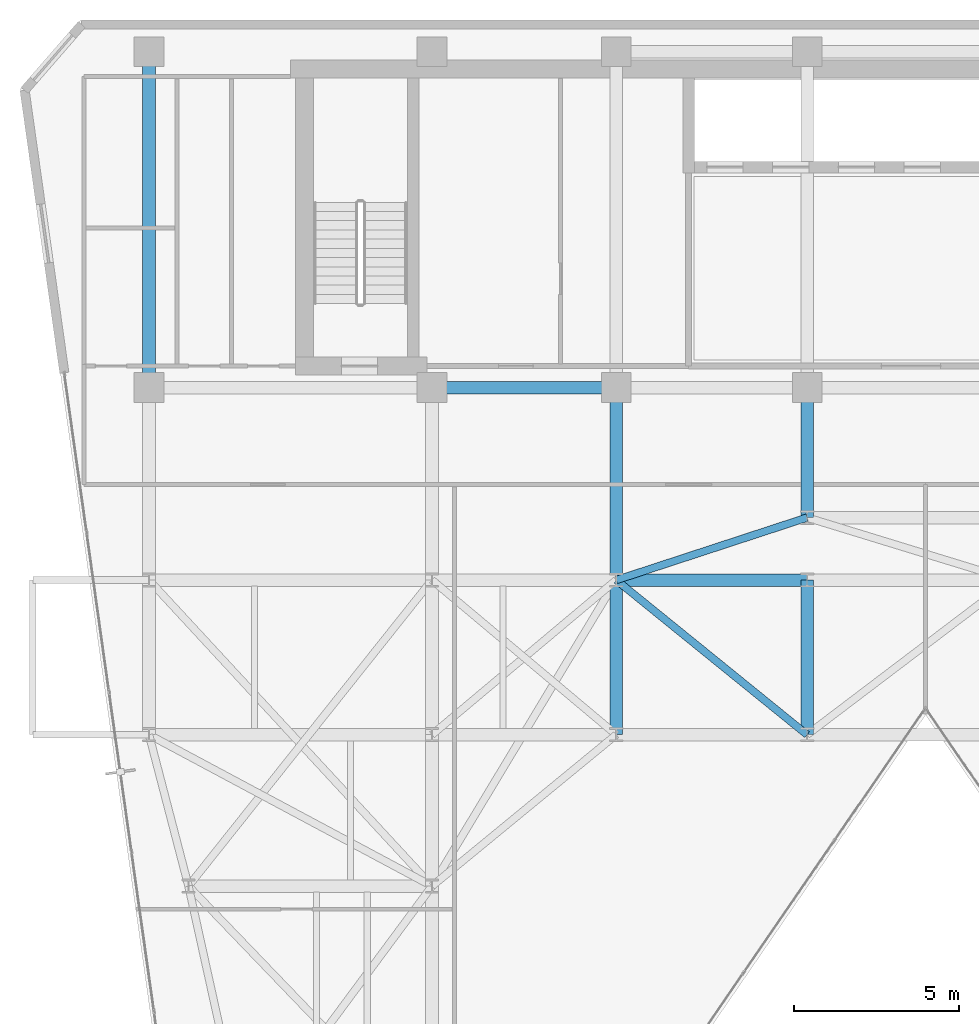
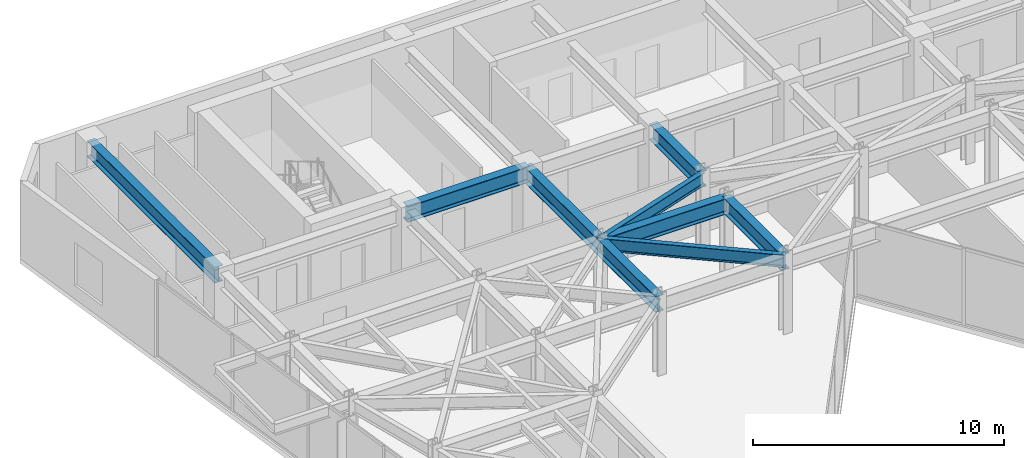
# One storey, part 13 of 26: 9 beams.
"""IFC4 building model written with IfcOpenShell, lengths in metres."""

from ifc_helpers import new_model, si_unit, direction, frame, origin, origin_2d, place, context, subcontext, project, spatial, i_section, extrude, material, material_profile, profile_set, type_object, element, save


model = new_model("IFC4")

# Units and contexts
model_context = context("Model", 3, precision=1e-05, world=origin(), true_north=direction((0.0, 1.0)))
body_context = subcontext(model_context, "Body", "Model", "MODEL_VIEW")
ifc_project = project(units=[si_unit("LENGTHUNIT", "METRE"), si_unit("AREAUNIT", "SQUARE_METRE"), si_unit("VOLUMEUNIT", "CUBIC_METRE"), si_unit("PLANEANGLEUNIT", "RADIAN"), si_unit("MASSUNIT", "GRAM", prefix="KILO")], contexts=[model_context])

# Site, building, storey
site_placement = place(None, origin())
site = spatial("IfcSite", under=ifc_project, at=site_placement, CompositionType="ELEMENT")
building_placement = place(site_placement, origin())
building = spatial("IfcBuilding", under=site, at=building_placement, Name="Kravanh Interchange Tower", CompositionType="ELEMENT")
storey_placement = place(building_placement, frame((0.0, 0.0, 172.5)))
storey = spatial("IfcBuildingStorey", under=building, at=storey_placement, Name="L41", CompositionType="ELEMENT", Elevation=172.5)

# Beams
ifc_material_1 = material(Name="Structural Steel S355", Category="steel")
ifc_material_profile_1 = material_profile(ifc_material_1, i_section(OverallWidth=0.381103515625, OverallDepth=0.77294921875, WebThickness=0.0166015625, FlangeThickness=0.027099609375, FilletRadius=0.02490234375, at=origin_2d()), Name="W30X173")
ifc_profile_set_1 = profile_set([ifc_material_profile_1], Name="Structural Steel S355")
beam_type_1 = type_object("IfcBeamType", Name="Floor Beam W30X173 Structural Steel S355", PredefinedType="BEAM", material=ifc_profile_set_1)
beam_1_placement = place(storey_placement, frame((38.60009765625, 37.35009765625, 3.368408203125), z_axis=(0.0, -1.0, 0.0), x_axis=(1.0, 0.0, 0.0)))
element("IfcBeam", 1, at=beam_1_placement, inside=storey, type_object=beam_type_1, Name="L41 Primary Floor Girder 16", PredefinedType="BEAM", context=body_context, shape_type="SweptSolid", body=[
    extrude(i_section(OverallWidth=0.381103515625, OverallDepth=0.77294921875, WebThickness=0.0166015625, FlangeThickness=0.027099609375, FilletRadius=0.02490234375, at=origin_2d()), origin(), (0.0, 0.0, 1.0), 3.9501953125),
])
beam_2_placement = place(storey_placement, frame((32.800048828125, 37.35009765625, 3.368408203125), z_axis=(-1.0, 0.0, 0.0), x_axis=(0.0, -1.0, 0.0)))
element("IfcBeam", 2, at=beam_2_placement, inside=storey, type_object=beam_type_1, Name="L41 Primary Floor Girder 20", PredefinedType="BEAM", context=body_context, shape_type="SweptSolid", body=[
    extrude(i_section(OverallWidth=0.381103515625, OverallDepth=0.77294921875, WebThickness=0.0166015625, FlangeThickness=0.027099609375, FilletRadius=0.02490234375, at=origin_2d()), origin(), (0.0, 0.0, 1.0), 5.60009765625),
])
beam_3_placement = place(storey_placement, frame((32.800048828125, 37.35009765625, 3.368408203125), z_axis=(0.0, -1.0, 0.0), x_axis=(1.0, 0.0, 0.0)))
element("IfcBeam", 3, at=beam_3_placement, inside=storey, type_object=beam_type_1, Name="L41 Primary Floor Girder 21", PredefinedType="BEAM", context=body_context, shape_type="SweptSolid", body=[
    extrude(i_section(OverallWidth=0.381103515625, OverallDepth=0.77294921875, WebThickness=0.0166015625, FlangeThickness=0.027099609375, FilletRadius=0.02490234375, at=origin_2d()), origin(), (0.0, 0.0, 1.0), 5.85009765625),
])
beam_4_placement = place(storey_placement, frame((18.60009765625, 37.35009765625, 3.368408203125), z_axis=(0.0, 1.0, 0.0), x_axis=(-1.0, 0.0, 0.0)))
element("IfcBeam", 4, at=beam_4_placement, inside=storey, type_object=beam_type_1, Name="L41 Primary Floor Girder 29", PredefinedType="BEAM", context=body_context, shape_type="SweptSolid", body=[
    extrude(i_section(OverallWidth=0.381103515625, OverallDepth=0.77294921875, WebThickness=0.0166015625, FlangeThickness=0.027099609375, FilletRadius=0.02490234375, at=origin_2d()), origin(), (0.0, 0.0, 1.0), 10.199951171875),
])
for number, where, z_axis, x_axis, name in (
    (5, (32.800048828125, 26.800048828125, 3.368408203125), (0.0, 1.0, 0.0), (-1.0, 0.0, 0.0), "L41 Primary Floor Girder 41"),
    (6, (38.60009765625, 26.800048828125, 3.368408203125), (0.0, 1.0, 0.0), (-1.0, 0.0, 0.0), "L41 Primary Floor Girder 45"),
):
    element("IfcBeam", number, at=place(storey_placement, frame(where, z_axis=z_axis, x_axis=x_axis)), inside=storey, type_object=beam_type_1, Name=name, PredefinedType="BEAM", context=body_context, shape_type="SweptSolid", body=[
        extrude(i_section(OverallWidth=0.381103515625, OverallDepth=0.77294921875, WebThickness=0.0166015625, FlangeThickness=0.027099609375, FilletRadius=0.02490234375, at=origin_2d()), origin(), (0.0, 0.0, 1.0), 4.699951171875),
    ])
beam_5_placement = place(storey_placement, frame((32.800048828125, 31.5, 3.368408203125), z_axis=(1.0, 0.0, 0.0), x_axis=(0.0, 1.0, 0.0)))
element("IfcBeam", 7, at=beam_5_placement, inside=storey, type_object=beam_type_1, Name="L41 Primary Floor Girder 67", PredefinedType="BEAM", context=body_context, shape_type="SweptSolid", body=[
    extrude(i_section(OverallWidth=0.381103515625, OverallDepth=0.77294921875, WebThickness=0.0166015625, FlangeThickness=0.027099609375, FilletRadius=0.02490234375, at=origin_2d()), origin(), (0.0, 0.0, 1.0), 5.800048828125),
])
ifc_material_2 = material(Name="Structural Steel S355", Category="steel")
ifc_material_profile_2 = material_profile(ifc_material_2, i_section(OverallWidth=0.22802734375, OverallDepth=0.60791015625, WebThickness=0.01123046875, FlangeThickness=0.017333984375, FilletRadius=0.02197265625, at=origin_2d()), Name="W24X76")
ifc_profile_set_2 = profile_set([ifc_material_profile_2], Name="Structural Steel S355")
beam_type_2 = type_object("IfcBeamType", Name="Floor Spandrel W24X76 Structural Steel S355", PredefinedType="SPANDREL", material=ifc_profile_set_2)
beam_6_placement = place(storey_placement, frame((38.60009765625, 26.800048828125, 3.450927734375), z_axis=(-0.776938619557, 0.629576350764, 0.0), x_axis=(-0.629576350764, -0.776938619557, 0.0)))
element("IfcBeam", 8, at=beam_6_placement, inside=storey, type_object=beam_type_2, Name="L41 Perimeter Spandrel 46", PredefinedType="SPANDREL", context=body_context, shape_type="SweptSolid", body=[
    extrude(i_section(OverallWidth=0.22802734375, OverallDepth=0.60791015625, WebThickness=0.01123046875, FlangeThickness=0.017333984375, FilletRadius=0.02197265625, at=origin_2d()), origin(), (0.0, 0.0, 1.0), 7.46533203125),
])
beam_7_placement = place(storey_placement, frame((32.800048828125, 31.5, 3.450927734375), z_axis=(0.950314536578, 0.31129131303, 0.0), x_axis=(-0.31129131303, 0.950314536578, 0.0)))
element("IfcBeam", 9, at=beam_7_placement, inside=storey, type_object=beam_type_2, Name="L41 Perimeter Spandrel 68", PredefinedType="SPANDREL", context=body_context, shape_type="SweptSolid", body=[
    extrude(i_section(OverallWidth=0.22802734375, OverallDepth=0.60791015625, WebThickness=0.01123046875, FlangeThickness=0.017333984375, FilletRadius=0.02197265625, at=origin_2d()), origin(), (0.0, 0.0, 1.0), 6.103271484375),
])

save(model, "model.ifc")
